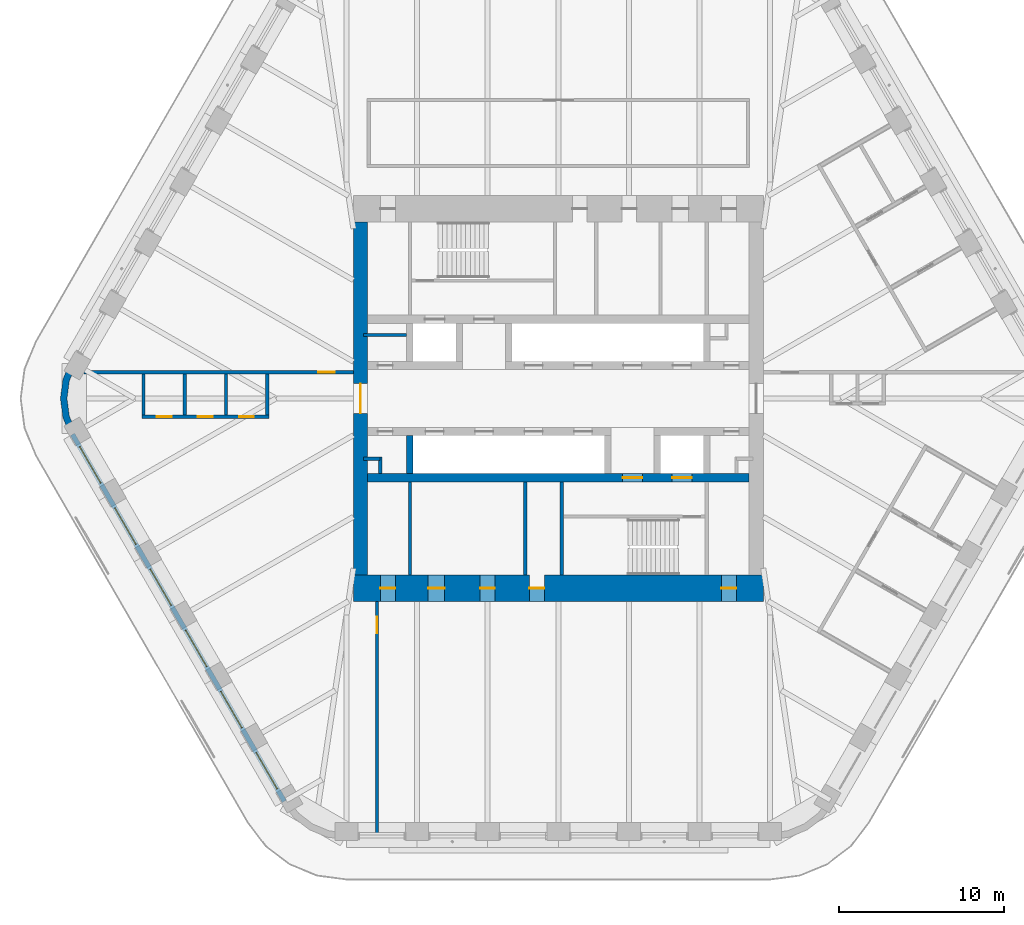
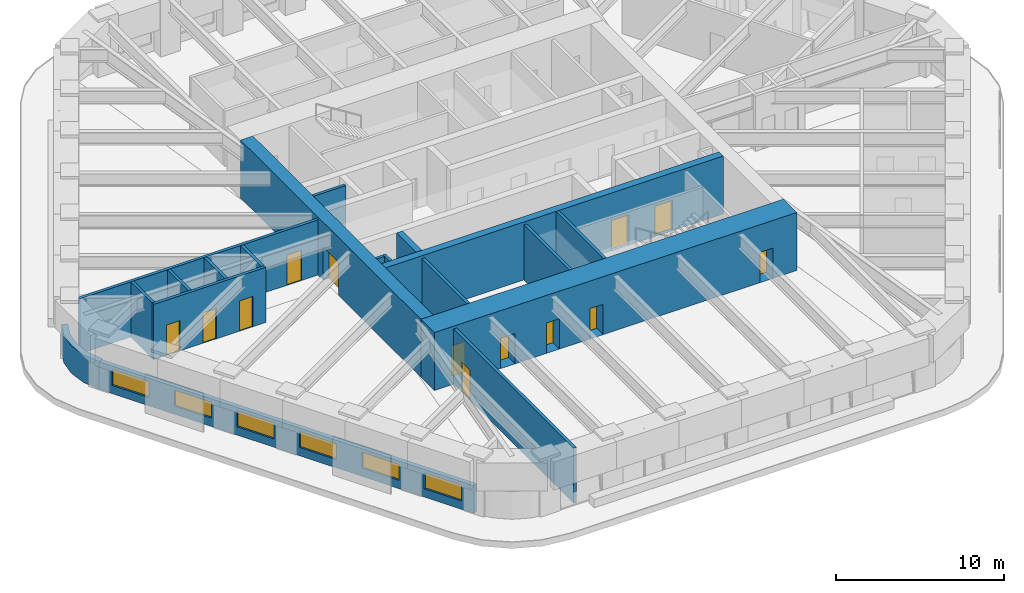
# One storey, part 13 of 18: 19 walls, 13 doors, 6 windows, 19 openings.
"""IFC4 building model written with IfcOpenShell, lengths in metres."""

from ifc_helpers import new_model, si_unit, direction, frame, frame_2d, origin, place, context, subcontext, project, spatial, polyline, rectangle, outline, extrude, material, layer, layer_set, type_object, element, fill, save


model = new_model("IFC4")

# Units and contexts
model_context = context("Model", 3, precision=1e-05, world=origin(), true_north=direction((0.0, 1.0)))
body_context = subcontext(model_context, "Body", "Model", "MODEL_VIEW")
ifc_project = project(units=[si_unit("LENGTHUNIT", "METRE"), si_unit("AREAUNIT", "SQUARE_METRE"), si_unit("VOLUMEUNIT", "CUBIC_METRE"), si_unit("PLANEANGLEUNIT", "RADIAN"), si_unit("MASSUNIT", "GRAM", prefix="KILO")], contexts=[model_context])

# Site, building, storey
site_placement = place(None, origin())
site = spatial("IfcSite", under=ifc_project, at=site_placement, CompositionType="ELEMENT")
building_placement = place(site_placement, origin())
building = spatial("IfcBuilding", under=site, at=building_placement, Name="Tarfa Lantern Tower", CompositionType="ELEMENT")
storey_placement = place(building_placement, frame((0.0, 0.0, 315.699951171875)))
storey = spatial("IfcBuildingStorey", under=building, at=storey_placement, Name="L71", CompositionType="ELEMENT", Elevation=315.699951171875)

# Wall, openings, windows
ifc_material_1 = material(Name="Limestone cladding on blockwork", Category="masonry")
ifc_layer_1 = layer(ifc_material_1, 0.300048828125)
ifc_layer_set_1 = layer_set([ifc_layer_1], Name="EW1 STONE-CLAD WALL 300")
wall_type_1 = type_object("IfcWallType", Name="EW1 STONE-CLAD WALL 300", PredefinedType="SOLIDWALL", material=ifc_layer_set_1)
wall_1_placement = place(storey_placement, frame((-29.459228515625, -2.175048828125, 0.0), z_axis=(0.0, 0.0, 1.0), x_axis=(0.499997191038, -0.866027025533, 0.0)))
wall_1 = element("IfcWall", 1, at=wall_1_placement, inside=storey, type_object=wall_type_1, Name="Stone wall SW", PredefinedType="SOLIDWALL", context=body_context, shape_type="SweptSolid", body=[
    extrude(rectangle(XDim=25.692138671875, YDim=0.300048828125, at=frame_2d((12.84619140625, 0.0))), origin(), (0.0, 0.0, 1.0), 2.0),
])
opening_1_placement = place(wall_1_placement, frame((0.865966796875, 0.0, 0.60009765625)))
opening_1 = element("IfcOpeningElement", 2, at=opening_1_placement, cuts=wall_1, Name="Opening W16", PredefinedType="OPENING", context=body_context, shape_type="SweptSolid", body=[
    extrude(rectangle(XDim=2.550048828125, YDim=1.14990234375, at=frame_2d((1.27490234375, 0.574951171875))), frame((0.0, 0.159912109375, 0.0), z_axis=(0.0, -1.0, 0.0), x_axis=(1.0, 0.0, 0.0)), (0.0, 0.0, 1.0), 0.320068359375),
])
opening_2_placement = place(wall_1_placement, frame((5.14794921875, 0.0, 0.60009765625)))
opening_2 = element("IfcOpeningElement", 3, at=opening_2_placement, cuts=wall_1, Name="Opening W16", PredefinedType="OPENING", context=body_context, shape_type="SweptSolid", body=[
    extrude(rectangle(XDim=2.550048828125, YDim=1.14990234375, at=frame_2d((1.27490234375, 0.574951171875))), frame((0.0, 0.159912109375, 0.0), z_axis=(0.0, -1.0, 0.0), x_axis=(1.0, 0.0, 0.0)), (0.0, 0.0, 1.0), 0.320068359375),
])
opening_3_placement = place(wall_1_placement, frame((9.429931640625, 0.0, 0.60009765625)))
opening_3 = element("IfcOpeningElement", 4, at=opening_3_placement, cuts=wall_1, Name="Opening W16", PredefinedType="OPENING", context=body_context, shape_type="SweptSolid", body=[
    extrude(rectangle(XDim=2.550048828125, YDim=1.14990234375, at=frame_2d((1.27490234375, 0.574951171875))), frame((0.0, 0.159912109375, 0.0), z_axis=(0.0, -1.0, 0.0), x_axis=(1.0, 0.0, 0.0)), (0.0, 0.0, 1.0), 0.320068359375),
])
opening_4_placement = place(wall_1_placement, frame((13.712158203125, 0.0, 0.60009765625)))
opening_4 = element("IfcOpeningElement", 5, at=opening_4_placement, cuts=wall_1, Name="Opening W16", PredefinedType="OPENING", context=body_context, shape_type="SweptSolid", body=[
    extrude(rectangle(XDim=2.550048828125, YDim=1.14990234375, at=frame_2d((1.27490234375, 0.574951171875))), frame((0.0, 0.159912109375, 0.0), z_axis=(0.0, -1.0, 0.0), x_axis=(1.0, 0.0, 0.0)), (0.0, 0.0, 1.0), 0.320068359375),
])
opening_5_placement = place(wall_1_placement, frame((17.994140625, 0.0, 0.60009765625)))
opening_5 = element("IfcOpeningElement", 6, at=opening_5_placement, cuts=wall_1, Name="Opening W16", PredefinedType="OPENING", context=body_context, shape_type="SweptSolid", body=[
    extrude(rectangle(XDim=2.550048828125, YDim=1.14990234375, at=frame_2d((1.27490234375, 0.574951171875))), frame((0.0, 0.159912109375, 0.0), z_axis=(0.0, -1.0, 0.0), x_axis=(1.0, 0.0, 0.0)), (0.0, 0.0, 1.0), 0.320068359375),
])
opening_6_placement = place(wall_1_placement, frame((22.276123046875, 0.0, 0.60009765625)))
opening_6 = element("IfcOpeningElement", 7, at=opening_6_placement, cuts=wall_1, Name="Opening W16", PredefinedType="OPENING", context=body_context, shape_type="SweptSolid", body=[
    extrude(rectangle(XDim=2.550048828125, YDim=1.14990234375, at=frame_2d((1.27490234375, 0.574951171875))), frame((0.0, 0.159912109375, 0.0), z_axis=(0.0, -1.0, 0.0), x_axis=(1.0, 0.0, 0.0)), (0.0, 0.0, 1.0), 0.320068359375),
])
ifc_material_2 = material(Name="Aluminium frame, double glazed", Category="aluminium")
window_type = type_object("IfcWindowType", Name="W16 FULL-HEIGHT GLAZING 2550x1150", PartitioningType="SINGLE_PANEL", PredefinedType="WINDOW", material=ifc_material_2)
window_1_placement = place(opening_1_placement, origin())
window_1 = element("IfcWindow", 8, at=window_1_placement, inside=storey, type_object=window_type, Name="Window SW 1", OverallHeight=1.14990234375, OverallWidth=2.550048828125, PartitioningType="SINGLE_PANEL", PredefinedType="WINDOW", context=body_context, shape_type="SweptSolid", body=[
    extrude(rectangle(XDim=2.550048828125, YDim=1.14990234375, at=frame_2d((1.27490234375, 0.574951171875))), frame((0.0, 0.030029296875, 0.0), z_axis=(0.0, -1.0, 0.0), x_axis=(1.0, 0.0, 0.0)), (0.0, 0.0, 1.0), 0.06005859375),
])
fill(opening_1, window_1)
window_2_placement = place(opening_2_placement, origin())
window_2 = element("IfcWindow", 9, at=window_2_placement, inside=storey, type_object=window_type, Name="Window SW 2", OverallHeight=1.14990234375, OverallWidth=2.550048828125, PartitioningType="SINGLE_PANEL", PredefinedType="WINDOW", context=body_context, shape_type="SweptSolid", body=[
    extrude(rectangle(XDim=2.550048828125, YDim=1.14990234375, at=frame_2d((1.27490234375, 0.574951171875))), frame((0.0, 0.030029296875, 0.0), z_axis=(0.0, -1.0, 0.0), x_axis=(1.0, 0.0, 0.0)), (0.0, 0.0, 1.0), 0.06005859375),
])
fill(opening_2, window_2)
window_3_placement = place(opening_3_placement, origin())
window_3 = element("IfcWindow", 10, at=window_3_placement, inside=storey, type_object=window_type, Name="Window SW 3", OverallHeight=1.14990234375, OverallWidth=2.550048828125, PartitioningType="SINGLE_PANEL", PredefinedType="WINDOW", context=body_context, shape_type="SweptSolid", body=[
    extrude(rectangle(XDim=2.550048828125, YDim=1.14990234375, at=frame_2d((1.27490234375, 0.574951171875))), frame((0.0, 0.030029296875, 0.0), z_axis=(0.0, -1.0, 0.0), x_axis=(1.0, 0.0, 0.0)), (0.0, 0.0, 1.0), 0.06005859375),
])
fill(opening_3, window_3)
window_4_placement = place(opening_4_placement, origin())
window_4 = element("IfcWindow", 11, at=window_4_placement, inside=storey, type_object=window_type, Name="Window SW 4", OverallHeight=1.14990234375, OverallWidth=2.550048828125, PartitioningType="SINGLE_PANEL", PredefinedType="WINDOW", context=body_context, shape_type="SweptSolid", body=[
    extrude(rectangle(XDim=2.550048828125, YDim=1.14990234375, at=frame_2d((1.27490234375, 0.574951171875))), frame((0.0, 0.030029296875, 0.0), z_axis=(0.0, -1.0, 0.0), x_axis=(1.0, 0.0, 0.0)), (0.0, 0.0, 1.0), 0.06005859375),
])
fill(opening_4, window_4)
window_5_placement = place(opening_5_placement, origin())
window_5 = element("IfcWindow", 12, at=window_5_placement, inside=storey, type_object=window_type, Name="Window SW 5", OverallHeight=1.14990234375, OverallWidth=2.550048828125, PartitioningType="SINGLE_PANEL", PredefinedType="WINDOW", context=body_context, shape_type="SweptSolid", body=[
    extrude(rectangle(XDim=2.550048828125, YDim=1.14990234375, at=frame_2d((1.27490234375, 0.574951171875))), frame((0.0, 0.030029296875, 0.0), z_axis=(0.0, -1.0, 0.0), x_axis=(1.0, 0.0, 0.0)), (0.0, 0.0, 1.0), 0.06005859375),
])
fill(opening_5, window_5)
window_6_placement = place(opening_6_placement, origin())
window_6 = element("IfcWindow", 13, at=window_6_placement, inside=storey, type_object=window_type, Name="Window SW 6", OverallHeight=1.14990234375, OverallWidth=2.550048828125, PartitioningType="SINGLE_PANEL", PredefinedType="WINDOW", context=body_context, shape_type="SweptSolid", body=[
    extrude(rectangle(XDim=2.550048828125, YDim=1.14990234375, at=frame_2d((1.27490234375, 0.574951171875))), frame((0.0, 0.030029296875, 0.0), z_axis=(0.0, -1.0, 0.0), x_axis=(1.0, 0.0, 0.0)), (0.0, 0.0, 1.0), 0.06005859375),
])
fill(opening_6, window_6)

# Walls
ifc_layer_2 = layer(ifc_material_1, 0.39990234375)
ifc_layer_set_2 = layer_set([ifc_layer_2], Name="EW2 CURVED STONE CORNER 400")
wall_type_2 = type_object("IfcWallType", Name="EW2 CURVED STONE CORNER 400", PredefinedType="SOLIDWALL", material=ifc_layer_set_2)
wall_2_placement = place(storey_placement, origin())
element("IfcWall", 14, at=wall_2_placement, inside=storey, type_object=wall_type_2, Name="Stone corner NW-SW", PredefinedType="SOLIDWALL", context=body_context, shape_type="SweptSolid", body=[
    extrude(outline(polyline([(-29.589111328125, 2.25), (-30.038818359375, 1.164794921875), (-30.192138671875, 0.0), (-30.038818359375, -1.164794921875), (-29.589111328125, -2.25), (-29.24267578125, -2.050048828125), (-29.65234375, -1.061279296875), (-29.7919921875, 0.0), (-29.65234375, 1.061279296875), (-29.24267578125, 2.050048828125), (-29.589111328125, 2.25)])), origin(), (0.0, 0.0, 1.0), 2.0),
])
ifc_material_3 = material(Name="Concrete blockwork", Category="masonry")
ifc_layer_3 = layer(ifc_material_3, 0.199951171875)
ifc_layer_set_3 = layer_set([ifc_layer_3], Name="IW1 BLOCKWORK PARTITION 200 EI 120")
wall_type_3 = type_object("IfcWallType", Name="IW1 BLOCKWORK PARTITION 200 EI 120", PredefinedType="PARTITIONING", material=ifc_layer_set_3)
for number, where, z_axis, x_axis, name in (
    (15, (-9.0, -5.050048828125, 0.0), (0.0, 0.0, 1.0), (0.0, -1.0, 0.0), "Core partition"),
    (16, (-2.0, -5.050048828125, 0.0), (0.0, 0.0, 1.0), (0.0, -1.0, 0.0), "Core partition"),
):
    element("IfcWall", number, at=place(storey_placement, frame(where, z_axis=z_axis, x_axis=x_axis)), inside=storey, type_object=wall_type_3, Name=name, PredefinedType="PARTITIONING", context=body_context, shape_type="SweptSolid", body=[
        extrude(rectangle(XDim=5.64990234375, YDim=0.199951171875, at=frame_2d((2.824951171875, 0.0))), origin(), (0.0, 0.0, 1.0), 4.0),
    ])
wall_3_placement = place(storey_placement, frame((-11.800048828125, 3.85009765625, 0.0), z_axis=(0.0, 0.0, 1.0), x_axis=(1.0, 0.0, 0.0)))
element("IfcWall", 17, at=wall_3_placement, inside=storey, type_object=wall_type_3, Name="Core partition", PredefinedType="PARTITIONING", context=body_context, shape_type="SweptSolid", body=[
    extrude(rectangle(XDim=2.60009765625, YDim=0.199951171875, at=frame_2d((1.300048828125, 0.0))), origin(), (0.0, 0.0, 1.0), 4.0),
])
for number, where, z_axis, x_axis, name in (
    (18, (-10.800048828125, -3.64990234375, 0.0), (0.0, 0.0, 1.0), (-1.0, 0.0, 0.0), "Core partition"),
    (19, (-10.800048828125, -3.550048828125, 0.0), (0.0, 0.0, 1.0), (0.0, -1.0, 0.0), "Core partition"),
):
    element("IfcWall", number, at=place(storey_placement, frame(where, z_axis=z_axis, x_axis=x_axis)), inside=storey, type_object=wall_type_3, Name=name, PredefinedType="PARTITIONING", context=body_context, shape_type="SweptSolid", body=[
        extrude(rectangle(XDim=1.0, YDim=0.199951171875, at=frame_2d((0.5, 0.0))), origin(), (0.0, 0.0, 1.0), 4.0),
    ])

# Wall, opening, door
ifc_material_4 = material(Name="Gypsum board on steel studs", Category="steel")
ifc_layer_4 = layer(ifc_material_4, 0.2099609375)
ifc_layer_set_4 = layer_set([ifc_layer_4], Name="IW2 ACOUSTIC PARTITION 200")
wall_type_4 = type_object("IfcWallType", Name="IW2 ACOUSTIC PARTITION 200", PredefinedType="PARTITIONING", material=ifc_layer_set_4)
wall_4_placement = place(storey_placement, frame((-11.0, -12.300048828125, 0.0), z_axis=(0.0, 0.0, 1.0), x_axis=(0.0, -1.0, 0.0)))
wall_4 = element("IfcWall", 20, at=wall_4_placement, inside=storey, type_object=wall_type_4, Name="Partition", PredefinedType="PARTITIONING", context=body_context, shape_type="SweptSolid", body=[
    extrude(rectangle(XDim=14.25, YDim=0.199951171875, at=frame_2d((7.125, 0.0))), origin(), (0.0, 0.0, 1.0), 4.0),
])
opening_7_placement = place(wall_4_placement, frame((0.925048828125, 0.0, 0.0)))
opening_7 = element("IfcOpeningElement", 21, at=opening_7_placement, cuts=wall_4, Name="Opening D36", PredefinedType="OPENING", context=body_context, shape_type="SweptSolid", body=[
    extrude(rectangle(XDim=1.0, YDim=2.199951171875, at=frame_2d((0.5, 1.10009765625))), frame((0.0, 0.10986328125, 0.0), z_axis=(0.0, -1.0, 0.0), x_axis=(1.0, 0.0, 0.0)), (0.0, 0.0, 1.0), 0.219970703125),
])
ifc_material_5 = material(Name="Timber door", Category="wood")
door_type_1 = type_object("IfcDoorType", Name="DR1 ROOM DOOR 1000x2200", OperationType="SINGLE_SWING_LEFT", PredefinedType="DOOR", material=ifc_material_5)
door_1_placement = place(opening_7_placement, frame((1.0, 0.0, 0.0), z_axis=(0.0, 0.0, 1.0), x_axis=(-1.0, 0.0, 0.0)))
door_1 = element("IfcDoor", 22, at=door_1_placement, inside=storey, type_object=door_type_1, Name="Zone door", OperationType="SINGLE_SWING_LEFT", OverallHeight=2.199951171875, OverallWidth=1.0, PredefinedType="DOOR", context=body_context, shape_type="SweptSolid", body=[
    extrude(rectangle(XDim=1.0, YDim=2.199951171875, at=frame_2d((0.5, 1.10009765625))), frame((0.0, 0.02490234375, 0.0), z_axis=(0.0, -1.0, 0.0), x_axis=(1.0, 0.0, 0.0)), (0.0, 0.0, 1.0), 0.050048828125),
])
fill(opening_7, door_1)

wall_5_placement = place(storey_placement, frame((-12.425048828125, 1.60009765625, 0.0), z_axis=(0.0, 0.0, 1.0), x_axis=(-1.0, 0.0, 0.0)))
wall_5 = element("IfcWall", 23, at=wall_5_placement, inside=storey, type_object=wall_type_4, Name="Partition", PredefinedType="PARTITIONING", context=body_context, shape_type="SweptSolid", body=[
    extrude(rectangle(XDim=16.326904296875, YDim=0.199951171875, at=frame_2d((8.16357421875, 0.0))), origin(), (0.0, 0.0, 1.0), 4.0),
])
opening_8_placement = place(wall_5_placement, frame((1.1328125, 0.0, 0.0)))
opening_8 = element("IfcOpeningElement", 24, at=opening_8_placement, cuts=wall_5, Name="Opening D37", PredefinedType="OPENING", context=body_context, shape_type="SweptSolid", body=[
    extrude(rectangle(XDim=1.0, YDim=2.199951171875, at=frame_2d((0.5, 1.10009765625))), frame((0.0, 0.10986328125, 0.0), z_axis=(0.0, -1.0, 0.0), x_axis=(1.0, 0.0, 0.0)), (0.0, 0.0, 1.0), 0.219970703125),
])
door_2_placement = place(opening_8_placement, origin())
door_2 = element("IfcDoor", 25, at=door_2_placement, inside=storey, type_object=door_type_1, Name="Zone door", OperationType="SINGLE_SWING_RIGHT", OverallHeight=2.199951171875, OverallWidth=1.0, PredefinedType="DOOR", context=body_context, shape_type="SweptSolid", body=[
    extrude(rectangle(XDim=1.0, YDim=2.199951171875, at=frame_2d((0.5, 1.10009765625))), frame((0.0, 0.02490234375, 0.0), z_axis=(0.0, -1.0, 0.0), x_axis=(1.0, 0.0, 0.0)), (0.0, 0.0, 1.0), 0.050048828125),
])
fill(opening_8, door_2)

# Wall, openings, doors
wall_6_placement = place(storey_placement, frame((-17.554931640625, -1.10009765625, 0.0), z_axis=(0.0, 0.0, 1.0), x_axis=(-1.0, 0.0, 0.0)))
wall_6 = element("IfcWall", 26, at=wall_6_placement, inside=storey, type_object=wall_type_4, Name="Partition", PredefinedType="PARTITIONING", context=body_context, shape_type="SweptSolid", body=[
    extrude(rectangle(XDim=7.699951171875, YDim=0.199951171875, at=frame_2d((3.85009765625, 0.0))), origin(), (0.0, 0.0, 1.0), 4.0),
])
opening_9_placement = place(wall_6_placement, frame((0.89990234375, 0.0, 0.0)))
opening_9 = element("IfcOpeningElement", 27, at=opening_9_placement, cuts=wall_6, Name="Opening D30", PredefinedType="OPENING", context=body_context, shape_type="SweptSolid", body=[
    extrude(rectangle(XDim=0.89990234375, YDim=2.199951171875, at=frame_2d((0.449951171875, 1.10009765625))), frame((0.0, 0.10986328125, 0.0), z_axis=(0.0, -1.0, 0.0), x_axis=(1.0, 0.0, 0.0)), (0.0, 0.0, 1.0), 0.219970703125),
])
opening_10_placement = place(wall_6_placement, frame((3.39990234375, 0.0, 0.0)))
opening_10 = element("IfcOpeningElement", 28, at=opening_10_placement, cuts=wall_6, Name="Opening D31", PredefinedType="OPENING", context=body_context, shape_type="SweptSolid", body=[
    extrude(rectangle(XDim=0.89990234375, YDim=2.199951171875, at=frame_2d((0.449951171875, 1.10009765625))), frame((0.0, 0.10986328125, 0.0), z_axis=(0.0, -1.0, 0.0), x_axis=(1.0, 0.0, 0.0)), (0.0, 0.0, 1.0), 0.219970703125),
])
opening_11_placement = place(wall_6_placement, frame((5.89990234375, 0.0, 0.0)))
opening_11 = element("IfcOpeningElement", 29, at=opening_11_placement, cuts=wall_6, Name="Opening D32", PredefinedType="OPENING", context=body_context, shape_type="SweptSolid", body=[
    extrude(rectangle(XDim=0.89990234375, YDim=2.199951171875, at=frame_2d((0.449951171875, 1.10009765625))), frame((0.0, 0.10986328125, 0.0), z_axis=(0.0, -1.0, 0.0), x_axis=(1.0, 0.0, 0.0)), (0.0, 0.0, 1.0), 0.219970703125),
])
door_type_2 = type_object("IfcDoorType", Name="DR3 ROOM DOOR 900x2200", OperationType="SINGLE_SWING_LEFT", PredefinedType="DOOR", material=ifc_material_5)
door_3_placement = place(opening_9_placement, frame((0.89990234375, 0.0, 0.0), z_axis=(0.0, 0.0, 1.0), x_axis=(-1.0, 0.0, 0.0)))
door_3 = element("IfcDoor", 30, at=door_3_placement, inside=storey, type_object=door_type_2, Name="Focus room door", OperationType="SINGLE_SWING_LEFT", OverallHeight=2.199951171875, OverallWidth=0.89990234375, PredefinedType="DOOR", context=body_context, shape_type="SweptSolid", body=[
    extrude(rectangle(XDim=0.89990234375, YDim=2.199951171875, at=frame_2d((0.449951171875, 1.10009765625))), frame((0.0, 0.02490234375, 0.0), z_axis=(0.0, -1.0, 0.0), x_axis=(1.0, 0.0, 0.0)), (0.0, 0.0, 1.0), 0.050048828125),
])
fill(opening_9, door_3)
door_4_placement = place(opening_10_placement, frame((0.89990234375, 0.0, 0.0), z_axis=(0.0, 0.0, 1.0), x_axis=(-1.0, 0.0, 0.0)))
door_4 = element("IfcDoor", 31, at=door_4_placement, inside=storey, type_object=door_type_2, Name="Focus room door", OperationType="SINGLE_SWING_RIGHT", OverallHeight=2.199951171875, OverallWidth=0.89990234375, PredefinedType="DOOR", context=body_context, shape_type="SweptSolid", body=[
    extrude(rectangle(XDim=0.89990234375, YDim=2.199951171875, at=frame_2d((0.449951171875, 1.10009765625))), frame((0.0, 0.02490234375, 0.0), z_axis=(0.0, -1.0, 0.0), x_axis=(1.0, 0.0, 0.0)), (0.0, 0.0, 1.0), 0.050048828125),
])
fill(opening_10, door_4)
door_5_placement = place(opening_11_placement, frame((0.89990234375, 0.0, 0.0), z_axis=(0.0, 0.0, 1.0), x_axis=(-1.0, 0.0, 0.0)))
door_5 = element("IfcDoor", 32, at=door_5_placement, inside=storey, type_object=door_type_2, Name="Focus room door", OperationType="SINGLE_SWING_RIGHT", OverallHeight=2.199951171875, OverallWidth=0.89990234375, PredefinedType="DOOR", context=body_context, shape_type="SweptSolid", body=[
    extrude(rectangle(XDim=0.89990234375, YDim=2.199951171875, at=frame_2d((0.449951171875, 1.10009765625))), frame((0.0, 0.02490234375, 0.0), z_axis=(0.0, -1.0, 0.0), x_axis=(1.0, 0.0, 0.0)), (0.0, 0.0, 1.0), 0.050048828125),
])
fill(opening_11, door_5)

# Walls
for number, where, z_axis, x_axis, name in (
    (33, (-17.65478515625, 1.5, 0.0), (0.0, 0.0, 1.0), (0.0, -1.0, 0.0), "Partition"),
    (34, (-20.15478515625, 1.5, 0.0), (0.0, 0.0, 1.0), (0.0, -1.0, 0.0), "Partition"),
    (35, (-22.65478515625, 1.5, 0.0), (0.0, 0.0, 1.0), (0.0, -1.0, 0.0), "Partition"),
    (36, (-25.15478515625, 1.5, 0.0), (0.0, 0.0, 1.0), (0.0, -1.0, 0.0), "Partition"),
):
    element("IfcWall", number, at=place(storey_placement, frame(where, z_axis=z_axis, x_axis=x_axis)), inside=storey, type_object=wall_type_4, Name=name, PredefinedType="PARTITIONING", context=body_context, shape_type="SweptSolid", body=[
        extrude(rectangle(XDim=2.5, YDim=0.199951171875, at=frame_2d((1.25, 0.0))), origin(), (0.0, 0.0, 1.0), 4.0),
    ])
ifc_material_6 = material(Name="Concrete C80/95", Category="concrete")
ifc_layer_5 = layer(ifc_material_6, 0.199951171875)
ifc_layer_set_5 = layer_set([ifc_layer_5], Name="SW12 CORE WALL 200")
wall_type_5 = type_object("IfcWallType", Name="SW12 CORE WALL 200", PredefinedType="SHEAR", material=ifc_layer_set_5)
wall_7_placement = place(storey_placement, frame((0.199951171875, -5.050048828125, 0.0), z_axis=(0.0, 0.0, 1.0), x_axis=(0.0, -1.0, 0.0)))
element("IfcWall", 37, at=wall_7_placement, inside=storey, type_object=wall_type_5, Name="Core wall stair shaft S", PredefinedType="SHEAR", context=body_context, shape_type="SweptSolid", body=[
    extrude(rectangle(XDim=5.64990234375, YDim=0.199951171875, at=frame_2d((2.824951171875, 0.0))), origin(), (0.0, 0.0, 1.0), 4.199951171875),
])

# Wall, opening, door
ifc_layer_6 = layer(ifc_material_6, 0.85009765625)
ifc_layer_set_6 = layer_set([ifc_layer_6], Name="SW3 CORE WALL 850")
wall_type_6 = type_object("IfcWallType", Name="SW3 CORE WALL 850", PredefinedType="SHEAR", material=ifc_layer_set_6)
wall_8_placement = place(storey_placement, frame((-12.0, 10.699951171875, 0.0), z_axis=(0.0, 0.0, 1.0), x_axis=(0.0, -1.0, 0.0)))
wall_8 = element("IfcWall", 38, at=wall_8_placement, inside=storey, type_object=wall_type_6, Name="Core wall W", PredefinedType="SHEAR", context=body_context, shape_type="SweptSolid", body=[
    extrude(rectangle(XDim=21.39990234375, YDim=0.85009765625, at=frame_2d((10.699951171875, 0.0))), origin(), (0.0, 0.0, 1.0), 4.199951171875),
])
opening_12_placement = place(wall_8_placement, frame((9.800048828125, 0.0, 0.0)))
opening_12 = element("IfcOpeningElement", 39, at=opening_12_placement, cuts=wall_8, Name="Opening D08", PredefinedType="OPENING", context=body_context, shape_type="SweptSolid", body=[
    extrude(rectangle(XDim=1.800048828125, YDim=2.39990234375, at=frame_2d((0.89990234375, 1.199951171875))), frame((0.0, 0.43505859375, 0.0), z_axis=(0.0, -1.0, 0.0), x_axis=(1.0, 0.0, 0.0)), (0.0, 0.0, 1.0), 0.8701171875),
])
ifc_material_7 = material(Name="Steel fire door", Category="steel")
door_type_3 = type_object("IfcDoorType", Name="DL1 LOBBY DOOR 1800x2400", OperationType="DOUBLE_DOOR_SINGLE_SWING", PredefinedType="DOOR", material=ifc_material_7)
door_6_placement = place(opening_12_placement, frame((1.800048828125, 0.0, 0.0), z_axis=(0.0, 0.0, 1.0), x_axis=(-1.0, 0.0, 0.0)))
door_6 = element("IfcDoor", 40, at=door_6_placement, inside=storey, type_object=door_type_3, Name="Lift lobby door", OperationType="DOUBLE_DOOR_SINGLE_SWING", OverallHeight=2.39990234375, OverallWidth=1.800048828125, PredefinedType="DOOR", context=body_context, shape_type="SweptSolid", body=[
    extrude(rectangle(XDim=1.800048828125, YDim=2.39990234375, at=frame_2d((0.89990234375, 1.199951171875))), frame((0.0, 0.02490234375, 0.0), z_axis=(0.0, -1.0, 0.0), x_axis=(1.0, 0.0, 0.0)), (0.0, 0.0, 1.0), 0.050048828125),
])
fill(opening_12, door_6)

# Wall, openings, doors
ifc_layer_7 = layer(ifc_material_6, 0.5)
ifc_layer_set_7 = layer_set([ifc_layer_7], Name="SW5 CORE WALL 500")
wall_type_7 = type_object("IfcWallType", Name="SW5 CORE WALL 500", PredefinedType="SHEAR", material=ifc_layer_set_7)
wall_9_placement = place(storey_placement, frame((11.574951171875, -4.800048828125, 0.0), z_axis=(0.0, 0.0, 1.0), x_axis=(-1.0, 0.0, 0.0)))
wall_9 = element("IfcWall", 41, at=wall_9_placement, inside=storey, type_object=wall_type_7, Name="Core wall rear S", PredefinedType="SHEAR", context=body_context, shape_type="SweptSolid", body=[
    extrude(rectangle(XDim=23.14990234375, YDim=0.5, at=frame_2d((11.574951171875, 0.0))), origin(), (0.0, 0.0, 1.0), 4.199951171875),
])
opening_13_placement = place(wall_9_placement, frame((6.47509765625, 0.0, 0.0)))
opening_13 = element("IfcOpeningElement", 42, at=opening_13_placement, cuts=wall_9, Name="Opening D06", PredefinedType="OPENING", context=body_context, shape_type="SweptSolid", body=[
    extrude(rectangle(XDim=1.199951171875, YDim=2.199951171875, at=frame_2d((0.60009765625, 1.10009765625))), frame((0.0, 0.260009765625, 0.0), z_axis=(0.0, -1.0, 0.0), x_axis=(1.0, 0.0, 0.0)), (0.0, 0.0, 1.0), 0.52001953125),
])
opening_14_placement = place(wall_9_placement, frame((3.47509765625, 0.0, 0.0)))
opening_14 = element("IfcOpeningElement", 43, at=opening_14_placement, cuts=wall_9, Name="Opening LD02", PredefinedType="OPENING", context=body_context, shape_type="SweptSolid", body=[
    extrude(rectangle(XDim=1.199951171875, YDim=2.199951171875, at=frame_2d((0.60009765625, 1.10009765625))), frame((0.0, 0.260009765625, 0.0), z_axis=(0.0, -1.0, 0.0), x_axis=(1.0, 0.0, 0.0)), (0.0, 0.0, 1.0), 0.52001953125),
])
door_type_4 = type_object("IfcDoorType", Name="DF1 FIREFIGHTING LOBBY DOOR 1200x2200", OperationType="SINGLE_SWING_LEFT", PredefinedType="DOOR", material=ifc_material_7)
door_7_placement = place(opening_13_placement, origin())
door_7 = element("IfcDoor", 44, at=door_7_placement, inside=storey, type_object=door_type_4, Name="Firefighting lobby door", OperationType="SINGLE_SWING_LEFT", OverallHeight=2.199951171875, OverallWidth=1.199951171875, PredefinedType="DOOR", context=body_context, shape_type="SweptSolid", body=[
    extrude(rectangle(XDim=1.199951171875, YDim=2.199951171875, at=frame_2d((0.60009765625, 1.10009765625))), frame((0.0, 0.02490234375, 0.0), z_axis=(0.0, -1.0, 0.0), x_axis=(1.0, 0.0, 0.0)), (0.0, 0.0, 1.0), 0.050048828125),
])
fill(opening_13, door_7)
ifc_material_8 = material(Name="Stainless steel lift door", Category="steel")
door_type_5 = type_object("IfcDoorType", Name="LD1 LIFT LANDING DOOR 1200x2200", OperationType="SLIDING_TO_LEFT", PredefinedType="DOOR", material=ifc_material_8)
door_8_placement = place(opening_14_placement, origin())
door_8 = element("IfcDoor", 45, at=door_8_placement, inside=storey, type_object=door_type_5, Name="Landing door FL2", OperationType="SLIDING_TO_LEFT", OverallHeight=2.199951171875, OverallWidth=1.199951171875, PredefinedType="DOOR", context=body_context, shape_type="SweptSolid", body=[
    extrude(rectangle(XDim=1.199951171875, YDim=2.199951171875, at=frame_2d((0.60009765625, 1.10009765625))), frame((0.0, 0.02490234375, 0.0), z_axis=(0.0, -1.0, 0.0), x_axis=(1.0, 0.0, 0.0)), (0.0, 0.0, 1.0), 0.050048828125),
])
fill(opening_14, door_8)

# Wall
ifc_layer_8 = layer(ifc_material_6, 0.39990234375)
ifc_layer_set_8 = layer_set([ifc_layer_8], Name="SW6 CORE WALL 400")
wall_type_8 = type_object("IfcWallType", Name="SW6 CORE WALL 400", PredefinedType="SHEAR", material=ifc_layer_set_8)
wall_10_placement = place(storey_placement, frame((-9.0, -2.25, 0.0), z_axis=(0.0, 0.0, 1.0), x_axis=(0.0, -1.0, 0.0)))
element("IfcWall", 46, at=wall_10_placement, inside=storey, type_object=wall_type_8, Name="Core wall divider S", PredefinedType="SHEAR", context=body_context, shape_type="SweptSolid", body=[
    extrude(rectangle(XDim=2.300048828125, YDim=0.39990234375, at=frame_2d((1.14990234375, 0.0))), origin(), (0.0, 0.0, 1.0), 4.199951171875),
])

# Wall, openings, doors
ifc_layer_9 = layer(ifc_material_6, 1.60009765625)
ifc_layer_set_9 = layer_set([ifc_layer_9], Name="SW7 CORE WALL 1600")
wall_type_9 = type_object("IfcWallType", Name="SW7 CORE WALL 1600", PredefinedType="SHEAR", material=ifc_layer_set_9)
wall_11_placement = place(storey_placement, frame((12.425048828125, -11.5, 0.0), z_axis=(0.0, 0.0, 1.0), x_axis=(-1.0, 0.0, 0.0)))
wall_11 = element("IfcWall", 47, at=wall_11_placement, inside=storey, type_object=wall_type_9, Name="Core wall S", PredefinedType="SHEAR", context=body_context, shape_type="SweptSolid", body=[
    extrude(rectangle(XDim=24.85009765625, YDim=1.60009765625, at=frame_2d((12.425048828125, 0.0))), origin(), (0.0, 0.0, 1.0), 4.199951171875),
])
opening_15_placement = place(wall_11_placement, frame((13.27490234375, 0.0, 0.0)))
opening_15 = element("IfcOpeningElement", 48, at=opening_15_placement, cuts=wall_11, Name="Opening D14", PredefinedType="OPENING", context=body_context, shape_type="SweptSolid", body=[
    extrude(rectangle(XDim=0.89990234375, YDim=2.199951171875, at=frame_2d((0.449951171875, 1.10009765625))), frame((0.0, 0.81005859375, 0.0), z_axis=(0.0, -1.0, 0.0), x_axis=(1.0, 0.0, 0.0)), (0.0, 0.0, 1.0), 1.6201171875),
])
opening_16_placement = place(wall_11_placement, frame((16.27490234375, 0.0, 0.0)))
opening_16 = element("IfcOpeningElement", 49, at=opening_16_placement, cuts=wall_11, Name="Opening D16", PredefinedType="OPENING", context=body_context, shape_type="SweptSolid", body=[
    extrude(rectangle(XDim=0.89990234375, YDim=2.199951171875, at=frame_2d((0.449951171875, 1.10009765625))), frame((0.0, 0.81005859375, 0.0), z_axis=(0.0, -1.0, 0.0), x_axis=(1.0, 0.0, 0.0)), (0.0, 0.0, 1.0), 1.6201171875),
])
opening_17_placement = place(wall_11_placement, frame((19.324951171875, 0.0, 0.0)))
opening_17 = element("IfcOpeningElement", 50, at=opening_17_placement, cuts=wall_11, Name="Opening D18", PredefinedType="OPENING", context=body_context, shape_type="SweptSolid", body=[
    extrude(rectangle(XDim=1.0, YDim=2.199951171875, at=frame_2d((0.5, 1.10009765625))), frame((0.0, 0.81005859375, 0.0), z_axis=(0.0, -1.0, 0.0), x_axis=(1.0, 0.0, 0.0)), (0.0, 0.0, 1.0), 1.6201171875),
])
opening_18_placement = place(wall_11_placement, frame((1.637451171875, 0.0, 0.0)))
opening_18 = element("IfcOpeningElement", 51, at=opening_18_placement, cuts=wall_11, Name="Opening D04", PredefinedType="OPENING", context=body_context, shape_type="SweptSolid", body=[
    extrude(rectangle(XDim=0.89990234375, YDim=2.199951171875, at=frame_2d((0.449951171875, 1.10009765625))), frame((0.0, 0.81005859375, 0.0), z_axis=(0.0, -1.0, 0.0), x_axis=(1.0, 0.0, 0.0)), (0.0, 0.0, 1.0), 1.6201171875),
])
opening_19_placement = place(wall_11_placement, frame((22.3125, 0.0, 0.0)))
opening_19 = element("IfcOpeningElement", 52, at=opening_19_placement, cuts=wall_11, Name="Opening D02", PredefinedType="OPENING", context=body_context, shape_type="SweptSolid", body=[
    extrude(rectangle(XDim=0.89990234375, YDim=2.199951171875, at=frame_2d((0.449951171875, 1.10009765625))), frame((0.0, 0.81005859375, 0.0), z_axis=(0.0, -1.0, 0.0), x_axis=(1.0, 0.0, 0.0)), (0.0, 0.0, 1.0), 1.6201171875),
])
door_type_6 = type_object("IfcDoorType", Name="DF3 CORE ROOM DOOR 900x2200", OperationType="SINGLE_SWING_LEFT", PredefinedType="DOOR", material=ifc_material_7)
door_9_placement = place(opening_15_placement, frame((0.89990234375, 0.0, 0.0), z_axis=(0.0, 0.0, 1.0), x_axis=(-1.0, 0.0, 0.0)))
door_9 = element("IfcDoor", 53, at=door_9_placement, inside=storey, type_object=door_type_6, Name="Core door", OperationType="SINGLE_SWING_RIGHT", OverallHeight=2.199951171875, OverallWidth=0.89990234375, PredefinedType="DOOR", context=body_context, shape_type="SweptSolid", body=[
    extrude(rectangle(XDim=0.89990234375, YDim=2.199951171875, at=frame_2d((0.449951171875, 1.10009765625))), frame((0.0, 0.02490234375, 0.0), z_axis=(0.0, -1.0, 0.0), x_axis=(1.0, 0.0, 0.0)), (0.0, 0.0, 1.0), 0.050048828125),
])
fill(opening_15, door_9)
door_10_placement = place(opening_16_placement, frame((0.89990234375, 0.0, 0.0), z_axis=(0.0, 0.0, 1.0), x_axis=(-1.0, 0.0, 0.0)))
door_10 = element("IfcDoor", 54, at=door_10_placement, inside=storey, type_object=door_type_6, Name="Core door", OperationType="SINGLE_SWING_LEFT", OverallHeight=2.199951171875, OverallWidth=0.89990234375, PredefinedType="DOOR", context=body_context, shape_type="SweptSolid", body=[
    extrude(rectangle(XDim=0.89990234375, YDim=2.199951171875, at=frame_2d((0.449951171875, 1.10009765625))), frame((0.0, 0.02490234375, 0.0), z_axis=(0.0, -1.0, 0.0), x_axis=(1.0, 0.0, 0.0)), (0.0, 0.0, 1.0), 0.050048828125),
])
fill(opening_16, door_10)
door_type_7 = type_object("IfcDoorType", Name="DF4 CORE ROOM DOOR 1000x2200", OperationType="SINGLE_SWING_LEFT", PredefinedType="DOOR", material=ifc_material_7)
door_11_placement = place(opening_17_placement, frame((1.0, 0.0, 0.0), z_axis=(0.0, 0.0, 1.0), x_axis=(-1.0, 0.0, 0.0)))
door_11 = element("IfcDoor", 55, at=door_11_placement, inside=storey, type_object=door_type_7, Name="Core door", OperationType="SINGLE_SWING_RIGHT", OverallHeight=2.199951171875, OverallWidth=1.0, PredefinedType="DOOR", context=body_context, shape_type="SweptSolid", body=[
    extrude(rectangle(XDim=1.0, YDim=2.199951171875, at=frame_2d((0.5, 1.10009765625))), frame((0.0, 0.02490234375, 0.0), z_axis=(0.0, -1.0, 0.0), x_axis=(1.0, 0.0, 0.0)), (0.0, 0.0, 1.0), 0.050048828125),
])
fill(opening_17, door_11)
door_type_8 = type_object("IfcDoorType", Name="DF5 RISER DOOR 900x2200", OperationType="SINGLE_SWING_LEFT", PredefinedType="DOOR", material=ifc_material_7)
door_12_placement = place(opening_18_placement, frame((0.89990234375, 0.0, 0.0), z_axis=(0.0, 0.0, 1.0), x_axis=(-1.0, 0.0, 0.0)))
door_12 = element("IfcDoor", 56, at=door_12_placement, inside=storey, type_object=door_type_8, Name="Riser door", OperationType="SINGLE_SWING_LEFT", OverallHeight=2.199951171875, OverallWidth=0.89990234375, PredefinedType="DOOR", context=body_context, shape_type="SweptSolid", body=[
    extrude(rectangle(XDim=0.89990234375, YDim=2.199951171875, at=frame_2d((0.449951171875, 1.10009765625))), frame((0.0, 0.02490234375, 0.0), z_axis=(0.0, -1.0, 0.0), x_axis=(1.0, 0.0, 0.0)), (0.0, 0.0, 1.0), 0.050048828125),
])
fill(opening_18, door_12)
door_13_placement = place(opening_19_placement, frame((0.89990234375, 0.0, 0.0), z_axis=(0.0, 0.0, 1.0), x_axis=(-1.0, 0.0, 0.0)))
door_13 = element("IfcDoor", 57, at=door_13_placement, inside=storey, type_object=door_type_8, Name="Riser door", OperationType="SINGLE_SWING_RIGHT", OverallHeight=2.199951171875, OverallWidth=0.89990234375, PredefinedType="DOOR", context=body_context, shape_type="SweptSolid", body=[
    extrude(rectangle(XDim=0.89990234375, YDim=2.199951171875, at=frame_2d((0.449951171875, 1.10009765625))), frame((0.0, 0.02490234375, 0.0), z_axis=(0.0, -1.0, 0.0), x_axis=(1.0, 0.0, 0.0)), (0.0, 0.0, 1.0), 0.050048828125),
])
fill(opening_19, door_13)

save(model, "model.ifc")
